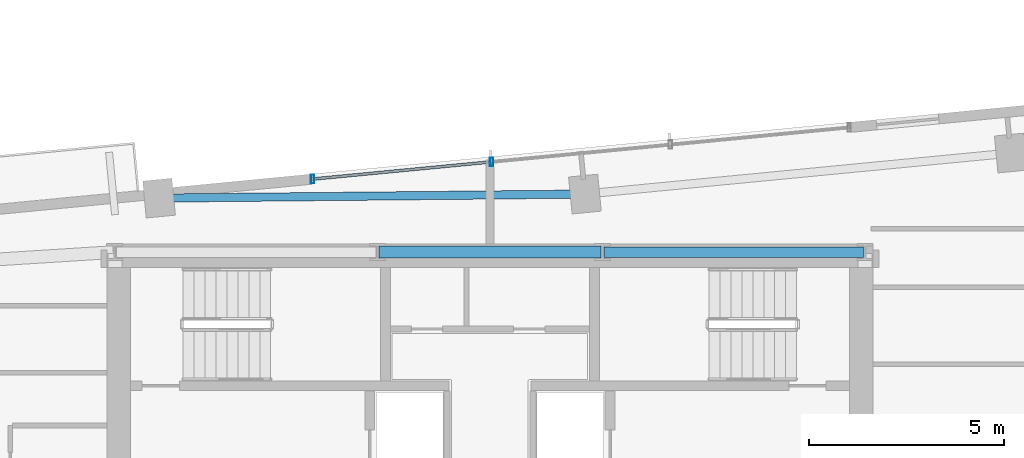
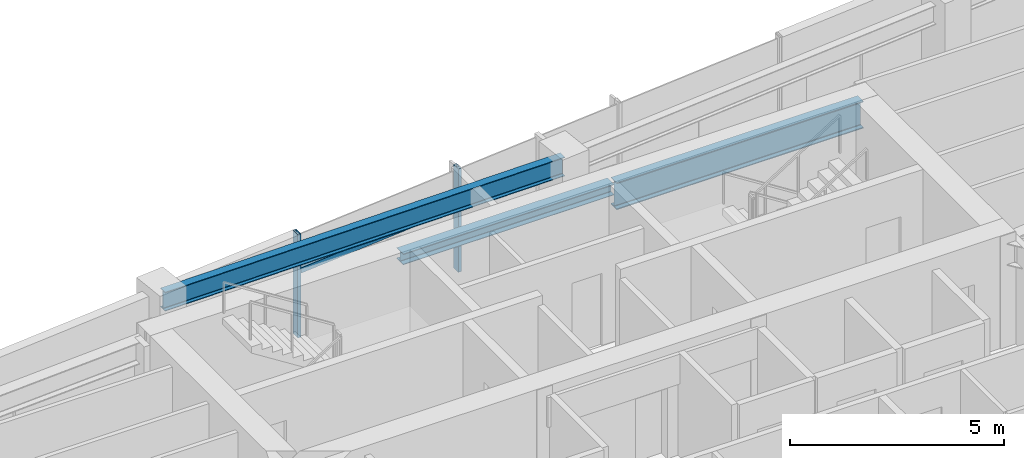
# One storey, part 6 of 18: 3 beams, 3 members, 1 element without a shape of its own.
"""IFC4 building model written with IfcOpenShell, lengths in metres."""

from ifc_helpers import new_model, si_unit, direction, frame, origin, origin_2d, place, context, subcontext, project, spatial, hollow_rectangle, i_section, extrude, source, transform, mapped, material, material_profile, profile_set, type_object, type_shapes, element, aggregate, save


model = new_model("IFC4")

# Units and contexts
model_context = context("Model", 3, precision=1e-05, world=origin(), true_north=direction((0.0, 1.0)))
body_context = subcontext(model_context, "Body", "Model", "MODEL_VIEW")
ifc_project = project(units=[si_unit("LENGTHUNIT", "METRE"), si_unit("AREAUNIT", "SQUARE_METRE"), si_unit("VOLUMEUNIT", "CUBIC_METRE"), si_unit("PLANEANGLEUNIT", "RADIAN"), si_unit("MASSUNIT", "GRAM", prefix="KILO")], contexts=[model_context])

# Site, building, storey
site_placement = place(None, origin())
site = spatial("IfcSite", under=ifc_project, at=site_placement, CompositionType="ELEMENT")
building_placement = place(site_placement, origin())
building = spatial("IfcBuilding", under=site, at=building_placement, Name="Astriad Promenade Condominiums", CompositionType="ELEMENT")
storey_placement = place(building_placement, frame((0.0, 0.0, 195.39990234375)))
storey = spatial("IfcBuildingStorey", under=building, at=storey_placement, Name="L56", CompositionType="ELEMENT", Elevation=195.39990234375)

# Beams
ifc_material_1 = material(Name="Steel ASTM A992 Grade 50", Category="steel")
ifc_material_profile_1 = material_profile(ifc_material_1, i_section(OverallWidth=0.267822265625, OverallDepth=0.76953125, WebThickness=0.015625, FlangeThickness=0.025390625, FilletRadius=0.021484375, at=origin_2d()), Name="W30X132")
ifc_profile_set_1 = profile_set([ifc_material_profile_1], Name="Steel ASTM A992 Grade 50")
beam_type_1 = type_object("IfcBeamType", Name="STEEL FLOOR GIRDER W30X132", PredefinedType="BEAM", material=ifc_profile_set_1)
shared_shape_1 = source(origin(), body_context, "Body", "SweptSolid", [
    extrude(i_section(OverallWidth=0.267822265625, OverallDepth=0.76953125, WebThickness=0.015625, FlangeThickness=0.025390625, FilletRadius=0.021484375, at=origin_2d()), origin(), (0.0, 0.0, 1.0), 6.64013671875),
])
type_shapes(beam_type_1, [shared_shape_1])
beam_1_placement = place(storey_placement, frame((38.919921875, 24.0, 2.55517578125), z_axis=(1.0, 0.0, 0.0), x_axis=(0.0, 1.0, 0.0)))
element("IfcBeam", 1, at=beam_1_placement, inside=storey, type_object=beam_type_1, Name="Core Ring Beam CG-N3-L56", PredefinedType="BEAM", context=body_context, shape_type="MappedRepresentation", body=[
    mapped(shared_shape_1, transform((0.0, 0.0, 0.0), scale=1.0)),
])
ifc_material_profile_2 = material_profile(ifc_material_1, i_section(OverallWidth=0.3046875, OverallDepth=0.307861328125, WebThickness=0.010009765625, FlangeThickness=0.015380859375, FilletRadius=0.01513671875, at=origin_2d()), Name="W12X65")
ifc_profile_set_2 = profile_set([ifc_material_profile_2], Name="Steel ASTM A992 Grade 50")
beam_type_2 = type_object("IfcBeamType", Name="STEEL OPENING LINTEL W12X65", PredefinedType="LINTEL", material=ifc_profile_set_2)
shared_shape_2 = source(origin(), body_context, "Body", "SweptSolid", [
    extrude(i_section(OverallWidth=0.3046875, OverallDepth=0.307861328125, WebThickness=0.010009765625, FlangeThickness=0.015380859375, FilletRadius=0.01513671875, at=origin_2d()), origin(), (0.0, 0.0, 1.0), 5.68017578125),
])
type_shapes(beam_type_2, [shared_shape_2])
beam_2_placement = place(storey_placement, frame((33.159912109375, 24.0, 2.7861328125), z_axis=(1.0, 0.0, 0.0), x_axis=(0.0, 1.0, 0.0)))
element("IfcBeam", 2, at=beam_2_placement, inside=storey, type_object=beam_type_2, Name="Core Ring Beam CG-N2-L56", PredefinedType="LINTEL", context=body_context, shape_type="MappedRepresentation", body=[
    mapped(shared_shape_2, transform((0.0, 0.0, 0.0), scale=1.0)),
])
ifc_material_profile_3 = material_profile(ifc_material_1, i_section(OverallWidth=0.210693359375, OverallDepth=0.53955078125, WebThickness=0.01171875, FlangeThickness=0.018798828125, FilletRadius=0.0166015625, at=origin_2d()), Name="W21X73")
ifc_profile_set_3 = profile_set([ifc_material_profile_3], Name="Steel ASTM A992 Grade 50")
beam_type_3 = type_object("IfcBeamType", Name="STEEL SPANDREL BEAM W21X73", PredefinedType="SPANDREL", material=ifc_profile_set_3)
shared_shape_3 = source(origin(), body_context, "Body", "SweptSolid", [
    extrude(i_section(OverallWidth=0.210693359375, OverallDepth=0.53955078125, WebThickness=0.01171875, FlangeThickness=0.018798828125, FilletRadius=0.0166015625, at=origin_2d()), origin(), (0.0, 0.0, 1.0), 10.820068359375),
])
type_shapes(beam_type_3, [shared_shape_3])
beam_3_placement = place(storey_placement, frame((38.391357421875, 25.482666015625, 2.67041015625), z_axis=(-0.999955308161, -0.009454188553, 0.0), x_axis=(0.009454188553, -0.999955308161, 0.0)))
element("IfcBeam", 3, at=beam_3_placement, inside=storey, type_object=beam_type_3, Name="Perimeter Spandrel Beam SP-N2-L56", PredefinedType="SPANDREL", context=body_context, shape_type="MappedRepresentation", body=[
    mapped(shared_shape_3, transform((0.0, 0.0, 0.0), scale=1.0)),
])

# Curtain wall, members
ifc_material_2 = material(Name="Anodised aluminium Black Dark Glass Unitised", Category="aluminium")
curtain_wall_type = type_object("IfcCurtainWallType", Name="CW-B34-DARK", PredefinedType="USERDEFINED", material=ifc_material_2)
curtain_wall_placement = place(storey_placement, origin())
curtain_wall = element("IfcCurtainWall", 4, at=curtain_wall_placement, inside=storey, type_object=curtain_wall_type, Name="CW-L56-N", ObjectType="UNITISED_CURTAIN_WALL", PredefinedType="USERDEFINED")
ifc_material_3 = material(Name="Anodised aluminium 6063-T6 Black", Category="aluminium")
ifc_material_profile_4 = material_profile(ifc_material_3, hollow_rectangle(XDim=0.0849609375, YDim=0.219970703125, WallThickness=0.0048828125, at=origin_2d()), Name="ALU-MUL-85X220")
ifc_profile_set_4 = profile_set([ifc_material_profile_4], Name="Anodised aluminium 6063-T6 Black")
member_type_1 = type_object("IfcMemberType", Name="MUL-ALU-MUL-85X220", PredefinedType="MULLION", material=ifc_profile_set_4)
shared_shape_4 = source(origin(), body_context, "Body", "SweptSolid", [
    extrude(hollow_rectangle(XDim=0.0849609375, YDim=0.219970703125, WallThickness=0.0048828125, at=origin_2d()), origin(), (0.0, 0.0, 1.0), 2.940185546875),
])
type_shapes(member_type_1, [shared_shape_4])
member_1_placement = place(storey_placement, frame((31.46240234375, 25.866943359375, 0.0), z_axis=(0.0, 0.0, 1.0), x_axis=(1.0, 0.0, 0.0)))
member_1 = element("IfcMember", 5, at=member_1_placement, type_object=member_type_1, Name="CW-L56-N-MUL-00", PredefinedType="MULLION", context=body_context, shape_type="MappedRepresentation", body=[
    mapped(shared_shape_4, transform((0.0, 0.0, 0.0), scale=1.0)),
])
member_2_placement = place(storey_placement, frame((36.041259765625, 26.307861328125, 0.0), z_axis=(0.0, 0.0, 1.0), x_axis=(1.0, 0.0, 0.0)))
member_2 = element("IfcMember", 6, at=member_2_placement, type_object=member_type_1, Name="CW-L56-N-MUL-01", PredefinedType="MULLION", context=body_context, shape_type="MappedRepresentation", body=[
    mapped(shared_shape_4, transform((0.0, 0.0, 0.0), scale=1.0)),
])
ifc_material_profile_5 = material_profile(ifc_material_3, hollow_rectangle(XDim=0.074951171875, YDim=0.14990234375, WallThickness=0.004150390625, at=origin_2d()), Name="ALU-TRN-75X150")
ifc_profile_set_5 = profile_set([ifc_material_profile_5], Name="Anodised aluminium 6063-T6 Black")
member_type_2 = type_object("IfcMemberType", Name="TRN-ALU-TRN-75X150", PredefinedType="USERDEFINED", material=ifc_profile_set_5)
shared_shape_5 = source(origin(), body_context, "Body", "SweptSolid", [
    extrude(hollow_rectangle(XDim=0.074951171875, YDim=0.14990234375, WallThickness=0.004150390625, at=origin_2d()), origin(), (0.0, 0.0, 1.0), 4.60009765625),
])
type_shapes(member_type_2, [shared_shape_5])
member_3_placement = place(storey_placement, frame((31.46240234375, 25.866943359375, 1.822998046875), z_axis=(0.995395697572, 0.095850953336, 0.0), x_axis=(-0.095850953336, 0.995395697572, 0.0)))
member_3 = element("IfcMember", 7, at=member_3_placement, type_object=member_type_2, Name="CW-L56-N-TRN-00-0", ObjectType="TRANSOM", PredefinedType="USERDEFINED", context=body_context, shape_type="MappedRepresentation", body=[
    mapped(shared_shape_5, transform((0.0, 0.0, 0.0), scale=1.0)),
])
aggregate(curtain_wall, [member_1, member_2, member_3])

save(model, "model.ifc")
